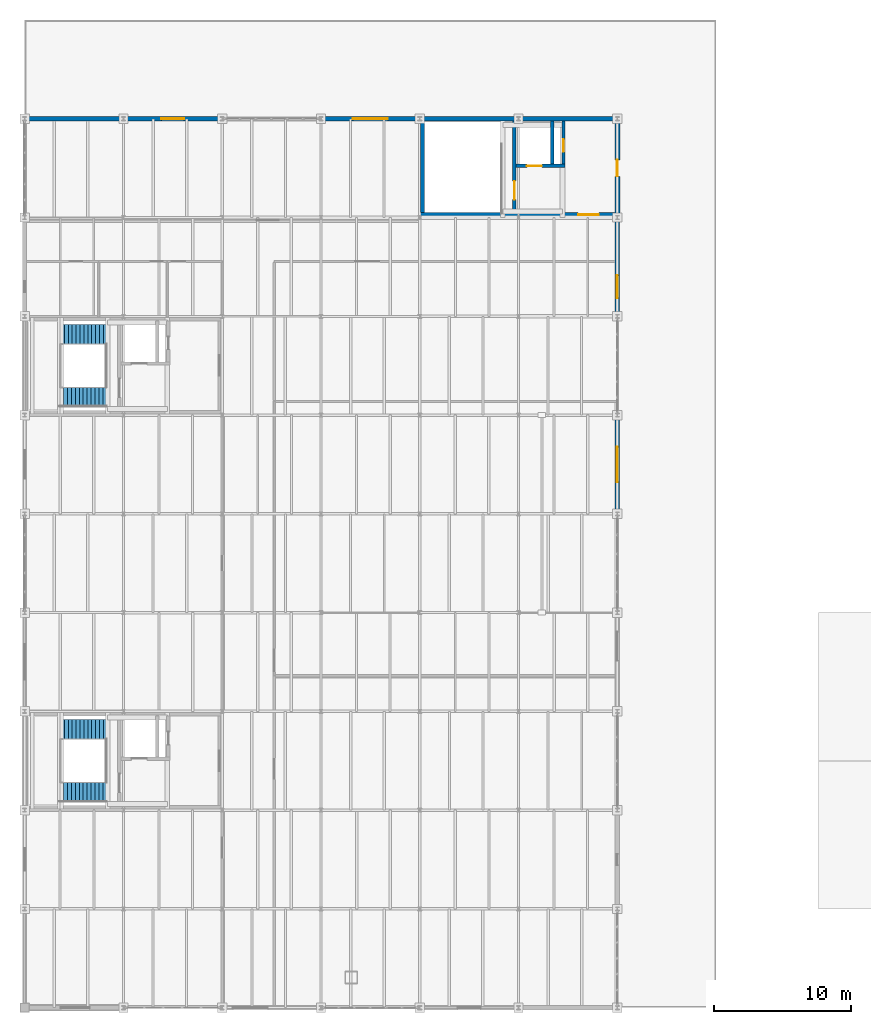
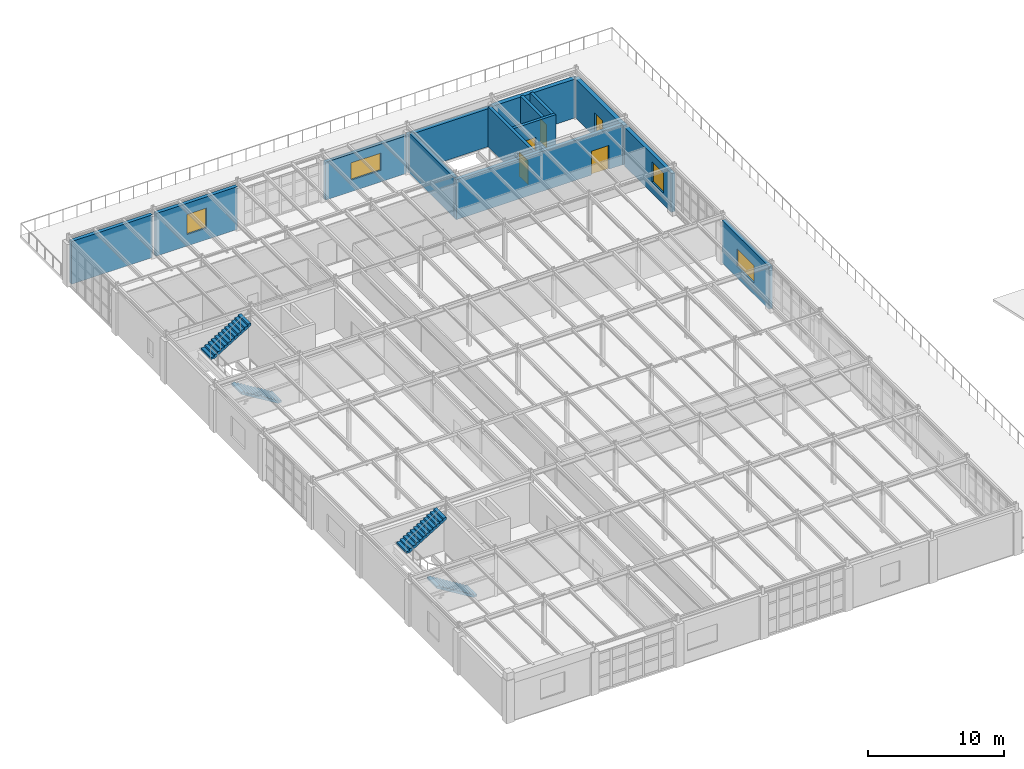
# One storey, part 34 of 36: 14 walls, 5 doors, 4 stair flights, 4 windows, 9 openings, 2 elements without a shape of their own.
"""IFC4 building model written with IfcOpenShell, lengths in metres."""

from ifc_helpers import new_model, si_unit, direction, frame, frame_2d, origin, place, context, subcontext, project, spatial, polyline, rectangle, outline, extrude, material, layer, layer_set, type_object, element, fill, aggregate, save


model = new_model("IFC4")

# Units and contexts
model_context = context("Model", 3, precision=1e-05, world=origin(), true_north=direction((0.0, 1.0)))
body_context = subcontext(model_context, "Body", "Model", "MODEL_VIEW")
ifc_project = project(units=[si_unit("LENGTHUNIT", "METRE"), si_unit("AREAUNIT", "SQUARE_METRE"), si_unit("VOLUMEUNIT", "CUBIC_METRE"), si_unit("PLANEANGLEUNIT", "RADIAN"), si_unit("MASSUNIT", "GRAM", prefix="KILO")], contexts=[model_context])

# Site, building, storey
site_placement = place(None, origin())
site = spatial("IfcSite", under=ifc_project, at=site_placement, CompositionType="ELEMENT")
building_placement = place(site_placement, origin())
building = spatial("IfcBuilding", under=site, at=building_placement, Name="Kemerveld Promenade Tramway Depot", CompositionType="ELEMENT")
storey_placement = place(building_placement, frame((0.0, 0.0, 14.39990234375)))
storey = spatial("IfcBuildingStorey", under=building, at=storey_placement, Name="L03", CompositionType="ELEMENT", Elevation=14.39990234375)

# Wall, opening, door
ifc_material_1 = material(Name="Concrete C40/50", Category="concrete")
ifc_layer_1 = layer(ifc_material_1, 0.25)
ifc_layer_set_1 = layer_set([ifc_layer_1], Name="WL-CORE-250")
wall_type_1 = type_object("IfcWallType", Name="WL-CORE-250", PredefinedType="SHEAR", material=ifc_layer_set_1)
wall_1_placement = place(storey_placement, frame((35.699951171875, 57.949951171875, 0.0), z_axis=(0.0, 0.0, 1.0), x_axis=(0.0, 1.0, 0.0)))
wall_1 = element("IfcWall", 1, at=wall_1_placement, inside=storey, type_object=wall_type_1, Name="WL-C3-L03-SDIV", PredefinedType="SHEAR", context=body_context, shape_type="SweptSolid", body=[
    extrude(rectangle(XDim=6.670166015625, YDim=0.25, at=frame_2d((3.3349609375, 0.0))), origin(), (0.0, 0.0, 1.0), 3.60009765625),
])
opening_1_placement = place(wall_1_placement, frame((0.949951171875, 0.0, 0.0)))
opening_1 = element("IfcOpeningElement", 2, at=opening_1_placement, cuts=wall_1, Name="Opening D-553", PredefinedType="OPENING", context=body_context, shape_type="SweptSolid", body=[
    extrude(rectangle(XDim=1.35009765625, YDim=2.14990234375, at=frame_2d((0.675048828125, 1.074951171875))), frame((0.0, 0.135009765625, 0.0), z_axis=(0.0, -1.0, 0.0), x_axis=(1.0, 0.0, 0.0)), (0.0, 0.0, 1.0), 0.27001953125),
])
ifc_material_2 = material(Name="Galvanised steel fire stair door", Category="steel")
door_type_1 = type_object("IfcDoorType", Name="DR-FD120", OperationType="NOTDEFINED", PredefinedType="DOOR", material=ifc_material_2)
door_1_placement = place(opening_1_placement, origin())
door_1 = element("IfcDoor", 3, at=door_1_placement, inside=storey, type_object=door_type_1, Name="DR-C3-L03-STAIR", OperationType="SINGLE_SWING_LEFT", OverallHeight=2.14990234375, OverallWidth=1.35009765625, PredefinedType="DOOR", context=body_context, shape_type="SweptSolid", body=[
    extrude(rectangle(XDim=1.35009765625, YDim=2.14990234375, at=frame_2d((0.675048828125, 1.074951171875))), frame((0.0, 0.02490234375, 0.0), z_axis=(0.0, -1.0, 0.0), x_axis=(1.0, 0.0, 0.0)), (0.0, 0.0, 1.0), 0.050048828125),
])
fill(opening_1, door_1)

wall_2_placement = place(storey_placement, frame((35.824951171875, 61.360107421875, 0.0), z_axis=(0.0, 0.0, 1.0), x_axis=(1.0, 0.0, 0.0)))
wall_2 = element("IfcWall", 4, at=wall_2_placement, inside=storey, type_object=wall_type_1, Name="WL-C3-L03-LSHS", PredefinedType="SHEAR", context=body_context, shape_type="SweptSolid", body=[
    extrude(rectangle(XDim=3.580078125, YDim=0.25, at=frame_2d((1.7900390625, 0.0))), origin(), (0.0, 0.0, 1.0), 3.60009765625),
])
opening_2_placement = place(wall_2_placement, frame((0.77490234375, 0.0, 0.0)))
opening_2 = element("IfcOpeningElement", 5, at=opening_2_placement, cuts=wall_2, Name="Opening LD-554", PredefinedType="OPENING", context=body_context, shape_type="SweptSolid", body=[
    extrude(rectangle(XDim=1.10009765625, YDim=2.14990234375, at=frame_2d((0.550048828125, 1.074951171875))), frame((0.0, 0.135009765625, 0.0), z_axis=(0.0, -1.0, 0.0), x_axis=(1.0, 0.0, 0.0)), (0.0, 0.0, 1.0), 0.27001953125),
])
ifc_material_3 = material(Name="Brushed stainless steel sliding lift landing door", Category="steel")
door_type_2 = type_object("IfcDoorType", Name="DR-LD01", OperationType="SLIDING_TO_LEFT", PredefinedType="DOOR", material=ifc_material_3)
door_2_placement = place(opening_2_placement, origin())
door_2 = element("IfcDoor", 6, at=door_2_placement, inside=storey, type_object=door_type_2, Name="DR-C3-L03-LIFT", OperationType="SLIDING_TO_LEFT", OverallHeight=2.14990234375, OverallWidth=1.10009765625, PredefinedType="DOOR", context=body_context, shape_type="SweptSolid", body=[
    extrude(rectangle(XDim=1.10009765625, YDim=2.14990234375, at=frame_2d((0.550048828125, 1.074951171875))), frame((0.0, 0.02490234375, 0.0), z_axis=(0.0, -1.0, 0.0), x_axis=(1.0, 0.0, 0.0)), (0.0, 0.0, 1.0), 0.050048828125),
])
fill(opening_2, door_2)

# Wall
wall_3_placement = place(storey_placement, frame((38.449951171875, 61.485107421875, 0.0), z_axis=(0.0, 0.0, 1.0), x_axis=(0.0, 1.0, 0.0)))
element("IfcWall", 7, at=wall_3_placement, inside=storey, type_object=wall_type_1, Name="WL-C3-L03-LSHM", PredefinedType="SHEAR", context=body_context, shape_type="SweptSolid", body=[
    extrude(rectangle(XDim=3.135009765625, YDim=0.25, at=frame_2d((1.5673828125, 0.0))), origin(), (0.0, 0.0, 1.0), 3.60009765625),
])

# Wall, opening, door
wall_4_placement = place(storey_placement, frame((39.280029296875, 61.485107421875, 0.0), z_axis=(0.0, 0.0, 1.0), x_axis=(0.0, 1.0, 0.0)))
wall_4 = element("IfcWall", 8, at=wall_4_placement, inside=storey, type_object=wall_type_1, Name="WL-C3-L03-LSHE", PredefinedType="SHEAR", context=body_context, shape_type="SweptSolid", body=[
    extrude(rectangle(XDim=3.135009765625, YDim=0.25, at=frame_2d((1.5673828125, 0.0))), origin(), (0.0, 0.0, 1.0), 3.60009765625),
])
opening_3_placement = place(wall_4_placement, frame((0.89990234375, 0.0, 0.0)))
opening_3 = element("IfcOpeningElement", 9, at=opening_3_placement, cuts=wall_4, Name="Opening D-555", PredefinedType="OPENING", context=body_context, shape_type="SweptSolid", body=[
    extrude(rectangle(XDim=0.919921875, YDim=2.050048828125, at=frame_2d((0.4599609375, 1.02490234375))), frame((0.0, 0.135009765625, 0.0), z_axis=(0.0, -1.0, 0.0), x_axis=(1.0, 0.0, 0.0)), (0.0, 0.0, 1.0), 0.27001953125),
])
ifc_material_4 = material(Name="Steel riser shaft access fire door", Category="steel")
door_type_3 = type_object("IfcDoorType", Name="DR-RSR01", OperationType="NOTDEFINED", PredefinedType="DOOR", material=ifc_material_4)
door_3_placement = place(opening_3_placement, origin())
door_3 = element("IfcDoor", 10, at=door_3_placement, inside=storey, type_object=door_type_3, Name="DR-C3-L03-RISER", OperationType="SINGLE_SWING_RIGHT", OverallHeight=2.050048828125, OverallWidth=0.919921875, PredefinedType="DOOR", context=body_context, shape_type="SweptSolid", body=[
    extrude(rectangle(XDim=0.919921875, YDim=2.050048828125, at=frame_2d((0.4599609375, 1.02490234375))), frame((0.0, 0.02490234375, 0.0), z_axis=(0.0, -1.0, 0.0), x_axis=(1.0, 0.0, 0.0)), (0.0, 0.0, 1.0), 0.050048828125),
])
fill(opening_3, door_3)

ifc_layer_2 = layer(ifc_material_1, 0.300048828125)
ifc_layer_set_2 = layer_set([ifc_layer_2], Name="WL-CORE-300")
wall_type_2 = type_object("IfcWallType", Name="WL-CORE-300", PredefinedType="SHEAR", material=ifc_layer_set_2)
wall_5_placement = place(storey_placement, frame((28.85009765625, 57.800048828125, 0.0), z_axis=(0.0, 0.0, 1.0), x_axis=(1.0, 0.0, 0.0)))
wall_5 = element("IfcWall", 11, at=wall_5_placement, inside=storey, type_object=wall_type_2, Name="WL-C3-L03-S", PredefinedType="SHEAR", context=body_context, shape_type="SweptSolid", body=[
    extrude(rectangle(XDim=14.169921875, YDim=0.300048828125, at=frame_2d((7.0849609375, 0.0))), origin(), (0.0, 0.0, 1.0), 3.60009765625),
])
opening_4_placement = place(wall_5_placement, frame((11.5, 0.0, 0.0)))
opening_4 = element("IfcOpeningElement", 12, at=opening_4_placement, cuts=wall_5, Name="Opening D-556", PredefinedType="OPENING", context=body_context, shape_type="SweptSolid", body=[
    extrude(rectangle(XDim=1.5, YDim=2.14990234375, at=frame_2d((0.75, 1.074951171875))), frame((0.0, 0.159912109375, 0.0), z_axis=(0.0, -1.0, 0.0), x_axis=(1.0, 0.0, 0.0)), (0.0, 0.0, 1.0), 0.320068359375),
])
ifc_material_5 = material(Name="Timber-faced acoustic fire lobby door", Category="wood")
door_type_4 = type_object("IfcDoorType", Name="DR-FD60A", OperationType="NOTDEFINED", PredefinedType="DOOR", material=ifc_material_5)
door_4_placement = place(opening_4_placement, origin())
door_4 = element("IfcDoor", 13, at=door_4_placement, inside=storey, type_object=door_type_4, Name="DR-C3-L03-LOBBY", OperationType="SINGLE_SWING_LEFT", OverallHeight=2.14990234375, OverallWidth=1.5, PredefinedType="DOOR", context=body_context, shape_type="SweptSolid", body=[
    extrude(rectangle(XDim=1.5, YDim=2.14990234375, at=frame_2d((0.75, 1.074951171875))), frame((0.0, 0.02490234375, 0.0), z_axis=(0.0, -1.0, 0.0), x_axis=(1.0, 0.0, 0.0)), (0.0, 0.0, 1.0), 0.050048828125),
])
fill(opening_4, door_4)

# Walls
wall_6_placement = place(storey_placement, frame((29.0, 57.949951171875, 0.0), z_axis=(0.0, 0.0, 1.0), x_axis=(0.0, 1.0, 0.0)))
element("IfcWall", 14, at=wall_6_placement, inside=storey, type_object=wall_type_2, Name="WL-C3-L03-W", PredefinedType="SHEAR", context=body_context, shape_type="SweptSolid", body=[
    extrude(rectangle(XDim=6.670166015625, YDim=0.300048828125, at=frame_2d((3.3349609375, 0.0))), origin(), (0.0, 0.0, 1.0), 3.60009765625),
])
ifc_material_6 = material(Name="Dressed sandstone and brick infill wall", Category="masonry")
ifc_layer_3 = layer(ifc_material_6, 0.300048828125)
ifc_layer_set_3 = layer_set([ifc_layer_3], Name="WL-EXT-300")
wall_type_3 = type_object("IfcWallType", Name="WL-EXT-300", PredefinedType="SOLIDWALL", material=ifc_layer_set_3)
wall_7_placement = place(storey_placement, frame((0.150146484375, 64.800048828125, 0.0), z_axis=(0.0, 0.0, 1.0), x_axis=(1.0, 0.0, 0.0)))
element("IfcWall", 15, at=wall_7_placement, inside=storey, type_object=wall_type_3, Name="WL-L03-V5N-01", PredefinedType="SOLIDWALL", context=body_context, shape_type="SweptSolid", body=[
    extrude(rectangle(XDim=6.899658203125, YDim=0.300048828125, at=frame_2d((3.44970703125, 0.0))), origin(), (0.0, 0.0, 1.0), 3.85009765625),
])

# Wall, opening, window
wall_8_placement = place(storey_placement, frame((7.35009765625, 64.800048828125, 0.0), z_axis=(0.0, 0.0, 1.0), x_axis=(1.0, 0.0, 0.0)))
wall_8 = element("IfcWall", 16, at=wall_8_placement, inside=storey, type_object=wall_type_3, Name="WL-L03-V5N-02", PredefinedType="SOLIDWALL", context=body_context, shape_type="SweptSolid", body=[
    extrude(rectangle(XDim=6.89990234375, YDim=0.300048828125, at=frame_2d((3.449951171875, 0.0))), origin(), (0.0, 0.0, 1.0), 3.85009765625),
])
opening_5_placement = place(wall_8_placement, frame((2.6201171875, 0.0, 1.050048828125)))
opening_5 = element("IfcOpeningElement", 17, at=opening_5_placement, cuts=wall_8, Name="Opening W-213", PredefinedType="OPENING", context=body_context, shape_type="SweptSolid", body=[
    extrude(rectangle(XDim=1.659912109375, YDim=1.800048828125, at=frame_2d((0.830078125, 0.89990234375))), frame((0.0, 0.159912109375, 0.0), z_axis=(0.0, -1.0, 0.0), x_axis=(1.0, 0.0, 0.0)), (0.0, 0.0, 1.0), 0.320068359375),
])
ifc_material_7 = material(Name="Bronze anodised aluminium and low-e glass", Category="aluminium")
window_type_1 = type_object("IfcWindowType", Name="WN-29", PartitioningType="SINGLE_PANEL", PredefinedType="WINDOW", material=ifc_material_7)
window_1_placement = place(opening_5_placement, origin())
window_1 = element("IfcWindow", 18, at=window_1_placement, inside=storey, type_object=window_type_1, Name="WN-L03-V5N-02", OverallHeight=1.800048828125, OverallWidth=1.659912109375, PartitioningType="SINGLE_PANEL", PredefinedType="WINDOW", context=body_context, shape_type="SweptSolid", body=[
    extrude(rectangle(XDim=1.659912109375, YDim=1.800048828125, at=frame_2d((0.830078125, 0.89990234375))), frame((0.0, 0.030029296875, 0.0), z_axis=(0.0, -1.0, 0.0), x_axis=(1.0, 0.0, 0.0)), (0.0, 0.0, 1.0), 0.06005859375),
])
fill(opening_5, window_1)

wall_9_placement = place(storey_placement, frame((21.750244140625, 64.800048828125, 0.0), z_axis=(0.0, 0.0, 1.0), x_axis=(1.0, 0.0, 0.0)))
wall_9 = element("IfcWall", 19, at=wall_9_placement, inside=storey, type_object=wall_type_3, Name="WL-L03-V5N-04", PredefinedType="SOLIDWALL", context=body_context, shape_type="SweptSolid", body=[
    extrude(rectangle(XDim=6.899658203125, YDim=0.300048828125, at=frame_2d((3.44970703125, 0.0))), origin(), (0.0, 0.0, 1.0), 3.4140625),
])
opening_6_placement = place(wall_9_placement, frame((2.169921875, 0.0, 1.050048828125)))
opening_6 = element("IfcOpeningElement", 20, at=opening_6_placement, cuts=wall_9, Name="Opening W-214", PredefinedType="OPENING", context=body_context, shape_type="SweptSolid", body=[
    extrude(rectangle(XDim=2.56005859375, YDim=1.550048828125, at=frame_2d((1.280029296875, 0.77490234375))), frame((0.0, 0.159912109375, 0.0), z_axis=(0.0, -1.0, 0.0), x_axis=(1.0, 0.0, 0.0)), (0.0, 0.0, 1.0), 0.320068359375),
])
window_type_2 = type_object("IfcWindowType", Name="WN-39", PartitioningType="SINGLE_PANEL", PredefinedType="WINDOW", material=ifc_material_7)
window_2_placement = place(opening_6_placement, origin())
window_2 = element("IfcWindow", 21, at=window_2_placement, inside=storey, type_object=window_type_2, Name="WN-L03-V5N-04", OverallHeight=1.550048828125, OverallWidth=2.56005859375, PartitioningType="SINGLE_PANEL", PredefinedType="WINDOW", context=body_context, shape_type="SweptSolid", body=[
    extrude(rectangle(XDim=2.56005859375, YDim=1.550048828125, at=frame_2d((1.280029296875, 0.77490234375))), frame((0.0, 0.030029296875, 0.0), z_axis=(0.0, -1.0, 0.0), x_axis=(1.0, 0.0, 0.0)), (0.0, 0.0, 1.0), 0.06005859375),
])
fill(opening_6, window_2)

wall_10_placement = place(storey_placement, frame((43.199951171875, 57.449951171875, 0.0), z_axis=(0.0, 0.0, 1.0), x_axis=(0.0, -1.0, 0.0)))
wall_10 = element("IfcWall", 22, at=wall_10_placement, inside=storey, type_object=wall_type_3, Name="WL-L03-V5E-02", PredefinedType="SOLIDWALL", context=body_context, shape_type="SweptSolid", body=[
    extrude(rectangle(XDim=6.89990234375, YDim=0.300048828125, at=frame_2d((3.449951171875, 0.0))), origin(), (0.0, 0.0, 1.0), 3.5029296875),
])
opening_7_placement = place(wall_10_placement, frame((4.070068359375, 0.0, 1.050048828125)))
opening_7 = element("IfcOpeningElement", 23, at=opening_7_placement, cuts=wall_10, Name="Opening W-215", PredefinedType="OPENING", context=body_context, shape_type="SweptSolid", body=[
    extrude(rectangle(XDim=1.659912109375, YDim=1.800048828125, at=frame_2d((0.830078125, 0.89990234375))), frame((0.0, 0.159912109375, 0.0), z_axis=(0.0, -1.0, 0.0), x_axis=(1.0, 0.0, 0.0)), (0.0, 0.0, 1.0), 0.320068359375),
])
window_3_placement = place(opening_7_placement, origin())
window_3 = element("IfcWindow", 24, at=window_3_placement, inside=storey, type_object=window_type_1, Name="WN-L03-V5E-02", OverallHeight=1.800048828125, OverallWidth=1.659912109375, PartitioningType="SINGLE_PANEL", PredefinedType="WINDOW", context=body_context, shape_type="SweptSolid", body=[
    extrude(rectangle(XDim=1.659912109375, YDim=1.800048828125, at=frame_2d((0.830078125, 0.89990234375))), frame((0.0, 0.030029296875, 0.0), z_axis=(0.0, -1.0, 0.0), x_axis=(1.0, 0.0, 0.0)), (0.0, 0.0, 1.0), 0.06005859375),
])
fill(opening_7, window_3)

wall_11_placement = place(storey_placement, frame((43.199951171875, 43.0498046875, 0.0), z_axis=(0.0, 0.0, 1.0), x_axis=(0.0, -1.0, 0.0)))
wall_11 = element("IfcWall", 25, at=wall_11_placement, inside=storey, type_object=wall_type_3, Name="WL-L03-V5E-04", PredefinedType="SOLIDWALL", context=body_context, shape_type="SweptSolid", body=[
    extrude(rectangle(XDim=6.899658203125, YDim=0.300048828125, at=frame_2d((3.44970703125, 0.0))), origin(), (0.0, 0.0, 1.0), 3.85009765625),
])
opening_8_placement = place(wall_11_placement, frame((2.169921875, 0.0, 1.050048828125)))
opening_8 = element("IfcOpeningElement", 26, at=opening_8_placement, cuts=wall_11, Name="Opening W-216", PredefinedType="OPENING", context=body_context, shape_type="SweptSolid", body=[
    extrude(rectangle(XDim=2.56005859375, YDim=1.550048828125, at=frame_2d((1.280029296875, 0.77490234375))), frame((0.0, 0.159912109375, 0.0), z_axis=(0.0, -1.0, 0.0), x_axis=(1.0, 0.0, 0.0)), (0.0, 0.0, 1.0), 0.320068359375),
])
window_4_placement = place(opening_8_placement, origin())
window_4 = element("IfcWindow", 27, at=window_4_placement, inside=storey, type_object=window_type_2, Name="WN-L03-V5E-04", OverallHeight=1.550048828125, OverallWidth=2.56005859375, PartitioningType="SINGLE_PANEL", PredefinedType="WINDOW", context=body_context, shape_type="SweptSolid", body=[
    extrude(rectangle(XDim=2.56005859375, YDim=1.550048828125, at=frame_2d((1.280029296875, 0.77490234375))), frame((0.0, 0.030029296875, 0.0), z_axis=(0.0, -1.0, 0.0), x_axis=(1.0, 0.0, 0.0)), (0.0, 0.0, 1.0), 0.06005859375),
])
fill(opening_8, window_4)

# Walls
ifc_layer_4 = layer(ifc_material_1, 0.360107421875)
ifc_layer_set_4 = layer_set([ifc_layer_4], Name="WL-EXT-CORE")
wall_type_4 = type_object("IfcWallType", Name="WL-EXT-CORE", PredefinedType="SHEAR", material=ifc_layer_set_4)
wall_12_placement = place(storey_placement, frame((28.800048828125, 64.800048828125, 0.0), z_axis=(0.0, 0.0, 1.0), x_axis=(1.0, 0.0, 0.0)))
element("IfcWall", 28, at=wall_12_placement, inside=storey, type_object=wall_type_4, Name="WL-L03-V5N-05", PredefinedType="SHEAR", context=body_context, shape_type="SweptSolid", body=[
    extrude(rectangle(XDim=7.199951171875, YDim=0.360107421875, at=frame_2d((3.60009765625, 0.0))), origin(), (0.0, 0.0, 1.0), 3.4140625),
])
wall_13_placement = place(storey_placement, frame((36.0, 64.800048828125, 0.0), z_axis=(0.0, 0.0, 1.0), x_axis=(1.0, 0.0, 0.0)))
element("IfcWall", 29, at=wall_13_placement, inside=storey, type_object=wall_type_4, Name="WL-L03-V5N-06", PredefinedType="SHEAR", context=body_context, shape_type="SweptSolid", body=[
    extrude(rectangle(XDim=7.199951171875, YDim=0.360107421875, at=frame_2d((3.60009765625, 0.0))), origin(), (0.0, 0.0, 1.0), 3.5029296875),
])

# Wall, opening, door
wall_14_placement = place(storey_placement, frame((43.199951171875, 64.800048828125, 0.0), z_axis=(0.0, 0.0, 1.0), x_axis=(0.0, -1.0, 0.0)))
wall_14 = element("IfcWall", 30, at=wall_14_placement, inside=storey, type_object=wall_type_4, Name="WL-L03-V5E-01", PredefinedType="SHEAR", context=body_context, shape_type="SweptSolid", body=[
    extrude(rectangle(XDim=7.199951171875, YDim=0.360107421875, at=frame_2d((3.60009765625, 0.0))), origin(), (0.0, 0.0, 1.0), 3.5029296875),
])
opening_9_placement = place(wall_14_placement, frame((3.0, 0.0, 0.0)))
opening_9 = element("IfcOpeningElement", 31, at=opening_9_placement, cuts=wall_14, Name="Opening D-149", PredefinedType="OPENING", context=body_context, shape_type="SweptSolid", body=[
    extrude(rectangle(XDim=1.199951171875, YDim=2.14990234375, at=frame_2d((0.60009765625, 1.074951171875))), frame((0.0, 0.18994140625, 0.0), z_axis=(0.0, -1.0, 0.0), x_axis=(1.0, 0.0, 0.0)), (0.0, 0.0, 1.0), 0.380126953125),
])
ifc_material_8 = material(Name="Thermally broken aluminium glazed terrace door", Category="aluminium")
door_type_5 = type_object("IfcDoorType", Name="DR-TER2", OperationType="NOTDEFINED", PredefinedType="DOOR", material=ifc_material_8)
door_5_placement = place(opening_9_placement, origin())
door_5 = element("IfcDoor", 32, at=door_5_placement, inside=storey, type_object=door_type_5, Name="DR-EXT-149", OperationType="SINGLE_SWING_LEFT", OverallHeight=2.14990234375, OverallWidth=1.199951171875, PredefinedType="DOOR", context=body_context, shape_type="SweptSolid", body=[
    extrude(rectangle(XDim=1.199951171875, YDim=2.14990234375, at=frame_2d((0.60009765625, 1.074951171875))), frame((0.0, 0.02490234375, 0.0), z_axis=(0.0, -1.0, 0.0), x_axis=(1.0, 0.0, 0.0)), (0.0, 0.0, 1.0), 0.050048828125),
])
fill(opening_9, door_5)

# Stair, stair flights
stair_type = type_object("IfcStairType", Name="STR-HT-TYP", PredefinedType="HALF_TURN_STAIR", material=ifc_material_1)
stair_1_placement = place(storey_placement, origin())
stair_1 = element("IfcStair", 33, at=stair_1_placement, inside=storey, type_object=stair_type, Name="ST-01-L03", PredefinedType="HALF_TURN_STAIR")
ifc_layer_5 = layer(ifc_material_1, 0.159912109375)
ifc_layer_set_5 = layer_set([ifc_layer_5], Name="FLT-02")
stair_flight_type = type_object("IfcStairFlightType", Name="FLT-02", PredefinedType="STRAIGHT", material=ifc_layer_set_5)
stair_flight_1_placement = place(storey_placement, frame((5.97998046875, 15.719970703125, 0.0), z_axis=(0.0, 0.0, 1.0), x_axis=(-1.0, 0.0, 0.0)))
stair_flight_1 = element("IfcStairFlight", 34, at=stair_flight_1_placement, type_object=stair_flight_type, Name="ST-01-L03 flight 1", NumberOfRisers=13, NumberOfTreads=12, PredefinedType="STRAIGHT", RiserHeight=0.173076923, TreadLength=0.285, context=body_context, shape_type="SweptSolid", body=[
    extrude(outline(polyline([(0.0, 0.0), (0.0, 0.173095703125), (0.284912109375, 0.173095703125), (0.284912109375, 0.34619140625), (0.570068359375, 0.34619140625), (0.570068359375, 0.519287109375), (0.85498046875, 0.519287109375), (0.85498046875, 0.6923828125), (1.139892578125, 0.6923828125), (1.139892578125, 0.865478515625), (1.425048828125, 0.865478515625), (1.425048828125, 1.03857421875), (1.7099609375, 1.03857421875), (1.7099609375, 1.21142578125), (1.9951171875, 1.21142578125), (1.9951171875, 1.384521484375), (2.280029296875, 1.384521484375), (2.280029296875, 1.5576171875), (2.56494140625, 1.5576171875), (2.56494140625, 1.730712890625), (2.85009765625, 1.730712890625), (2.85009765625, 1.90380859375), (3.135009765625, 1.90380859375), (3.135009765625, 2.076904296875), (3.419921875, 2.076904296875), (3.419921875, 2.25), (3.419921875, 1.889892578125), (0.30810546875, 0.0), (0.0, 0.0)])), frame((0.0, 0.72509765625, 0.0), z_axis=(0.0, -1.0, 0.0), x_axis=(1.0, 0.0, 0.0)), (0.0, 0.0, 1.0), 1.449951171875),
])
stair_flight_2_placement = place(storey_placement, frame((2.610107421875, 20.280029296875, 2.25), z_axis=(0.0, 0.0, 1.0), x_axis=(1.0, 0.0, 0.0)))
stair_flight_2 = element("IfcStairFlight", 35, at=stair_flight_2_placement, type_object=stair_flight_type, Name="ST-01-L03 flight 2", NumberOfRisers=13, NumberOfTreads=12, PredefinedType="STRAIGHT", RiserHeight=0.173076923, TreadLength=0.285, context=body_context, shape_type="SweptSolid", body=[
    extrude(outline(polyline([(0.0, 0.0), (0.0, 0.173095703125), (0.284912109375, 0.173095703125), (0.284912109375, 0.34619140625), (0.570068359375, 0.34619140625), (0.570068359375, 0.519287109375), (0.85498046875, 0.519287109375), (0.85498046875, 0.6923828125), (1.139892578125, 0.6923828125), (1.139892578125, 0.865478515625), (1.425048828125, 0.865478515625), (1.425048828125, 1.03857421875), (1.7099609375, 1.03857421875), (1.7099609375, 1.21142578125), (1.9951171875, 1.21142578125), (1.9951171875, 1.384521484375), (2.280029296875, 1.384521484375), (2.280029296875, 1.5576171875), (2.56494140625, 1.5576171875), (2.56494140625, 1.730712890625), (2.85009765625, 1.730712890625), (2.85009765625, 1.90380859375), (3.135009765625, 1.90380859375), (3.135009765625, 2.076904296875), (3.419921875, 2.076904296875), (3.419921875, 2.25), (3.419921875, 1.889892578125), (0.30810546875, 0.0), (0.0, 0.0)])), frame((0.0, 0.72509765625, 0.0), z_axis=(0.0, -1.0, 0.0), x_axis=(1.0, 0.0, 0.0)), (0.0, 0.0, 1.0), 1.449951171875),
])
aggregate(stair_1, [stair_flight_1, stair_flight_2])

stair_2_placement = place(storey_placement, origin())
stair_2 = element("IfcStair", 36, at=stair_2_placement, inside=storey, type_object=stair_type, Name="ST-02-L03", PredefinedType="HALF_TURN_STAIR")
stair_flight_3_placement = place(storey_placement, frame((5.97998046875, 44.52001953125, 0.0), z_axis=(0.0, 0.0, 1.0), x_axis=(-1.0, 0.0, 0.0)))
stair_flight_3 = element("IfcStairFlight", 37, at=stair_flight_3_placement, type_object=stair_flight_type, Name="ST-02-L03 flight 1", NumberOfRisers=13, NumberOfTreads=12, PredefinedType="STRAIGHT", RiserHeight=0.173076923, TreadLength=0.285, context=body_context, shape_type="SweptSolid", body=[
    extrude(outline(polyline([(0.0, 0.0), (0.0, 0.173095703125), (0.284912109375, 0.173095703125), (0.284912109375, 0.34619140625), (0.570068359375, 0.34619140625), (0.570068359375, 0.519287109375), (0.85498046875, 0.519287109375), (0.85498046875, 0.6923828125), (1.139892578125, 0.6923828125), (1.139892578125, 0.865478515625), (1.425048828125, 0.865478515625), (1.425048828125, 1.03857421875), (1.7099609375, 1.03857421875), (1.7099609375, 1.21142578125), (1.9951171875, 1.21142578125), (1.9951171875, 1.384521484375), (2.280029296875, 1.384521484375), (2.280029296875, 1.5576171875), (2.56494140625, 1.5576171875), (2.56494140625, 1.730712890625), (2.85009765625, 1.730712890625), (2.85009765625, 1.90380859375), (3.135009765625, 1.90380859375), (3.135009765625, 2.076904296875), (3.419921875, 2.076904296875), (3.419921875, 2.25), (3.419921875, 1.889892578125), (0.30810546875, 0.0), (0.0, 0.0)])), frame((0.0, 0.72509765625, 0.0), z_axis=(0.0, -1.0, 0.0), x_axis=(1.0, 0.0, 0.0)), (0.0, 0.0, 1.0), 1.449951171875),
])
stair_flight_4_placement = place(storey_placement, frame((2.610107421875, 49.080078125, 2.25), z_axis=(0.0, 0.0, 1.0), x_axis=(1.0, 0.0, 0.0)))
stair_flight_4 = element("IfcStairFlight", 38, at=stair_flight_4_placement, type_object=stair_flight_type, Name="ST-02-L03 flight 2", NumberOfRisers=13, NumberOfTreads=12, PredefinedType="STRAIGHT", RiserHeight=0.173076923, TreadLength=0.285, context=body_context, shape_type="SweptSolid", body=[
    extrude(outline(polyline([(0.0, 0.0), (0.0, 0.173095703125), (0.284912109375, 0.173095703125), (0.284912109375, 0.34619140625), (0.570068359375, 0.34619140625), (0.570068359375, 0.519287109375), (0.85498046875, 0.519287109375), (0.85498046875, 0.6923828125), (1.139892578125, 0.6923828125), (1.139892578125, 0.865478515625), (1.425048828125, 0.865478515625), (1.425048828125, 1.03857421875), (1.7099609375, 1.03857421875), (1.7099609375, 1.21142578125), (1.9951171875, 1.21142578125), (1.9951171875, 1.384521484375), (2.280029296875, 1.384521484375), (2.280029296875, 1.5576171875), (2.56494140625, 1.5576171875), (2.56494140625, 1.730712890625), (2.85009765625, 1.730712890625), (2.85009765625, 1.90380859375), (3.135009765625, 1.90380859375), (3.135009765625, 2.076904296875), (3.419921875, 2.076904296875), (3.419921875, 2.25), (3.419921875, 1.889892578125), (0.30810546875, 0.0), (0.0, 0.0)])), frame((0.0, 0.72509765625, 0.0), z_axis=(0.0, -1.0, 0.0), x_axis=(1.0, 0.0, 0.0)), (0.0, 0.0, 1.0), 1.449951171875),
])
aggregate(stair_2, [stair_flight_3, stair_flight_4])

save(model, "model.ifc")
